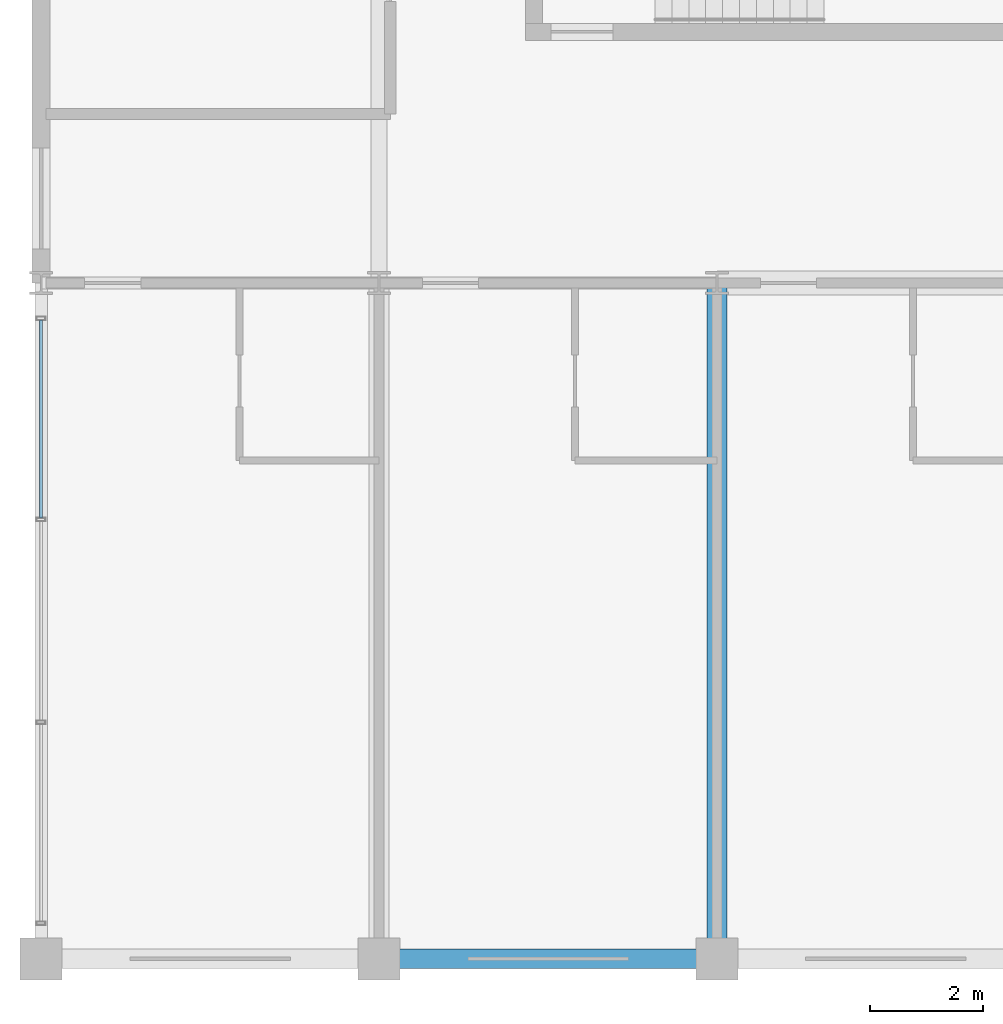
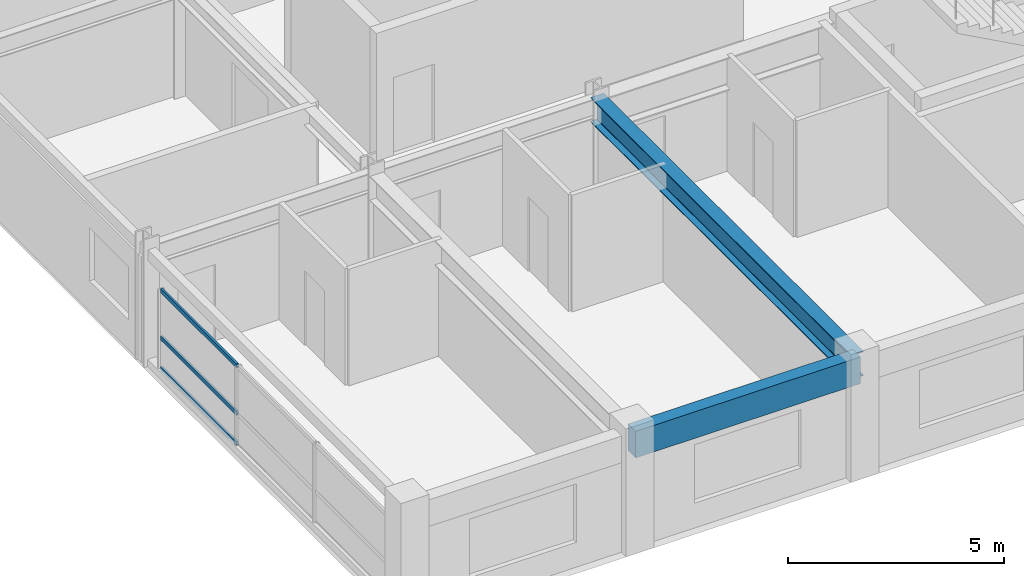
# One storey, part 3 of 20: 3 members, 2 beams, 1 element without a shape of its own.
"""IFC4 building model written with IfcOpenShell, lengths in metres."""

from ifc_helpers import new_model, si_unit, direction, frame, origin, origin_2d, place, context, subcontext, project, spatial, rectangle, hollow_rectangle, i_section, extrude, material, material_profile, profile_set, type_object, element, aggregate, save


model = new_model("IFC4")

# Units and contexts
model_context = context("Model", 3, precision=1e-05, world=origin(), true_north=direction((0.0, 1.0)))
body_context = subcontext(model_context, "Body", "Model", "MODEL_VIEW")
ifc_project = project(units=[si_unit("LENGTHUNIT", "METRE"), si_unit("AREAUNIT", "SQUARE_METRE"), si_unit("VOLUMEUNIT", "CUBIC_METRE"), si_unit("PLANEANGLEUNIT", "RADIAN"), si_unit("MASSUNIT", "GRAM", prefix="KILO")], contexts=[model_context])

# Site, building, storey
site_placement = place(None, origin())
site = spatial("IfcSite", under=ifc_project, at=site_placement, CompositionType="ELEMENT")
building_placement = place(site_placement, origin())
building = spatial("IfcBuilding", under=site, at=building_placement, Name="Kaldorvane Square Convention Centre", CompositionType="ELEMENT")
storey_placement = place(building_placement, frame((0.0, 0.0, 56.399993896484375)))
storey = spatial("IfcBuildingStorey", under=building, at=storey_placement, Name="L13", CompositionType="ELEMENT", Elevation=56.399993896484375)

# Beams
ifc_material_1 = material(Name="Steel ASTM A992 Gr. 50", Category="steel")
ifc_material_profile_1 = material_profile(ifc_material_1, i_section(OverallWidth=0.354705810546875, OverallDepth=0.69549560546875, WebThickness=0.0153961181640625, FlangeThickness=0.0251007080078125, FilletRadius=0.01519775390625, at=origin_2d()), Name="W27X146")
ifc_profile_set_1 = profile_set([ifc_material_profile_1], Name="Steel ASTM A992 Gr. 50")
beam_type_1 = type_object("IfcBeamType", Name="BM-GR-W27X146", PredefinedType="BEAM", material=ifc_profile_set_1)
beam_1_placement = place(storey_placement, frame((42.0, 84.0, 2.9383087158203125), z_axis=(0.0, 1.0, 0.0), x_axis=(-1.0, 0.0, 0.0)))
element("IfcBeam", 1, at=beam_1_placement, inside=storey, type_object=beam_type_1, Name="Transverse Girder (L13)", PredefinedType="BEAM", context=body_context, shape_type="SweptSolid", body=[
    extrude(i_section(OverallWidth=0.354705810546875, OverallDepth=0.69549560546875, WebThickness=0.0153961181640625, FlangeThickness=0.0251007080078125, FilletRadius=0.01519775390625, at=origin_2d()), origin(), (0.0, 0.0, 1.0), 12.0),
])
ifc_material_2 = material(Name="Concrete f'c = 42 MPa (Normalweight)", Category="concrete")
ifc_material_profile_2 = material_profile(ifc_material_2, rectangle(XDim=0.350006103515625, YDim=0.75, at=origin_2d()), Name="RCSP750X350")
ifc_profile_set_2 = profile_set([ifc_material_profile_2], Name="Concrete f'c = 42 MPa (Normalweight)")
beam_type_2 = type_object("IfcBeamType", Name="BM-SP-RC750", PredefinedType="SPANDREL", material=ifc_profile_set_2)
beam_2_placement = place(storey_placement, frame((36.0, 84.0, 2.9110107421875), z_axis=(1.0, 0.0, 0.0), x_axis=(0.0, 1.0, 0.0)))
element("IfcBeam", 2, at=beam_2_placement, inside=storey, type_object=beam_type_2, Name="Perimeter Spandrel (L13)", PredefinedType="SPANDREL", context=body_context, shape_type="SweptSolid", body=[
    extrude(rectangle(XDim=0.350006103515625, YDim=0.75, at=origin_2d()), origin(), (0.0, 0.0, 1.0), 6.0),
])

# Curtain wall, members
ifc_material_3 = material(Name="Anodized Aluminum and Low-E Insulated Glazing", Category="aluminium")
curtain_wall_type = type_object("IfcCurtainWallType", Name="CW-UNI-HTL-B", PredefinedType="USERDEFINED", material=ifc_material_3)
curtain_wall_placement = place(storey_placement, origin())
curtain_wall = element("IfcCurtainWall", 3, at=curtain_wall_placement, inside=storey, type_object=curtain_wall_type, Name="Curtain Wall CW-11 (L13)", ObjectType="UNITISED GLAZING", PredefinedType="USERDEFINED")
ifc_material_profile_3 = material_profile(ifc_material_3, hollow_rectangle(XDim=0.05499267578125, YDim=0.1199951171875, WallThickness=0.0030059814453125, at=origin_2d()), Name="CWT-120X55")
ifc_profile_set_3 = profile_set([ifc_material_profile_3], Name="Anodized Aluminum and Low-E Insulated Glazing")
member_type = type_object("IfcMemberType", Name="CW-TRN-120", PredefinedType="USERDEFINED", material=ifc_profile_set_3)
member_1_placement = place(storey_placement, frame((30.0, 95.33999633789062, 0.1775054931640625), z_axis=(0.0, -1.0, 0.0), x_axis=(1.0, 0.0, 0.0)))
member_1 = element("IfcMember", 4, at=member_1_placement, type_object=member_type, Name="CW-11 transom 1.1", ObjectType="TRANSOM", PredefinedType="USERDEFINED", context=body_context, shape_type="SweptSolid", body=[
    extrude(hollow_rectangle(XDim=0.05499267578125, YDim=0.1199951171875, WallThickness=0.0030059814453125, at=origin_2d()), origin(), (0.0, 0.0, 1.0), 3.5099945068359375),
])
member_2_placement = place(storey_placement, frame((30.0, 95.33999633789062, 1.0500030517578125), z_axis=(0.0, -1.0, 0.0), x_axis=(1.0, 0.0, 0.0)))
member_2 = element("IfcMember", 5, at=member_2_placement, type_object=member_type, Name="CW-11 transom 1.2", ObjectType="TRANSOM", PredefinedType="USERDEFINED", context=body_context, shape_type="SweptSolid", body=[
    extrude(hollow_rectangle(XDim=0.05499267578125, YDim=0.1199951171875, WallThickness=0.0030059814453125, at=origin_2d()), origin(), (0.0, 0.0, 1.0), 3.5099945068359375),
])
member_3_placement = place(storey_placement, frame((30.0, 95.33999633789062, 2.38250732421875), z_axis=(0.0, -1.0, 0.0), x_axis=(1.0, 0.0, 0.0)))
member_3 = element("IfcMember", 6, at=member_3_placement, type_object=member_type, Name="CW-11 transom 1.3", ObjectType="TRANSOM", PredefinedType="USERDEFINED", context=body_context, shape_type="SweptSolid", body=[
    extrude(hollow_rectangle(XDim=0.05499267578125, YDim=0.1199951171875, WallThickness=0.0030059814453125, at=origin_2d()), origin(), (0.0, 0.0, 1.0), 3.5099945068359375),
])
aggregate(curtain_wall, [member_1, member_2, member_3])

save(model, "model.ifc")
